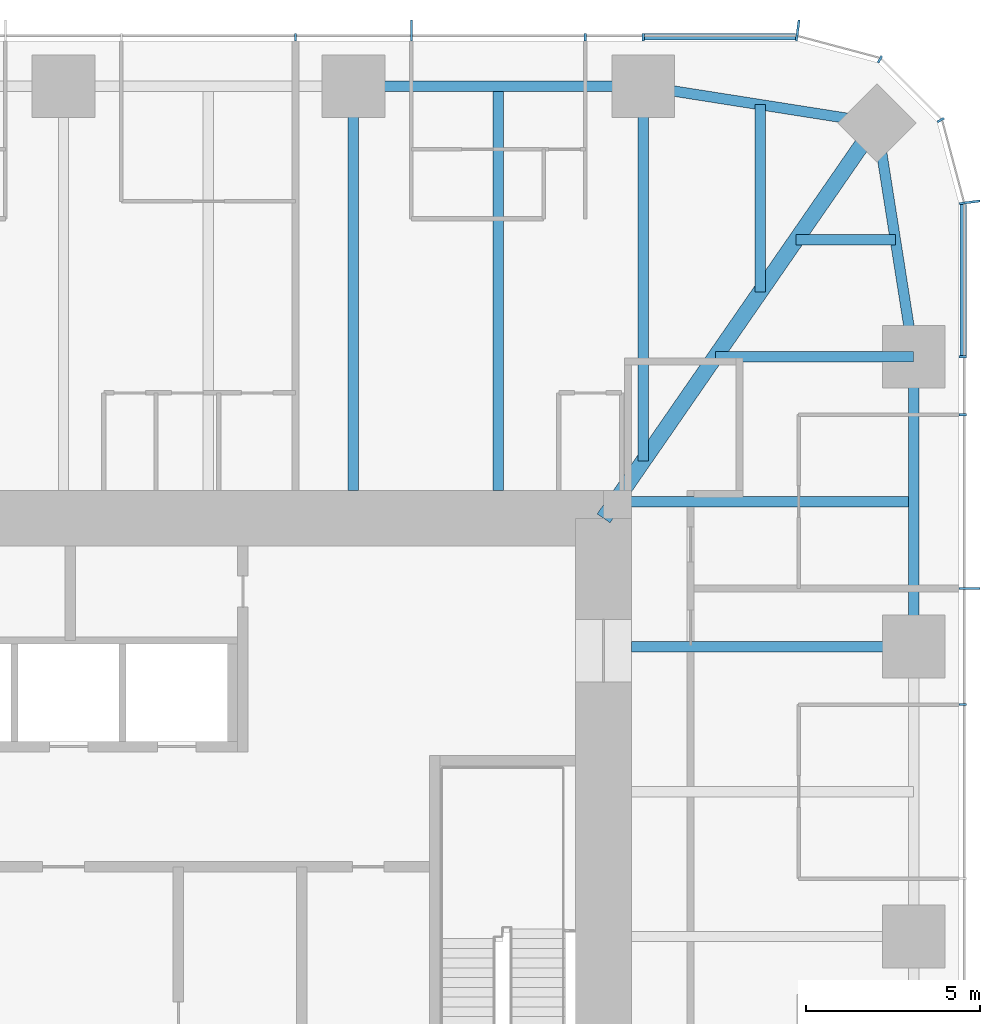
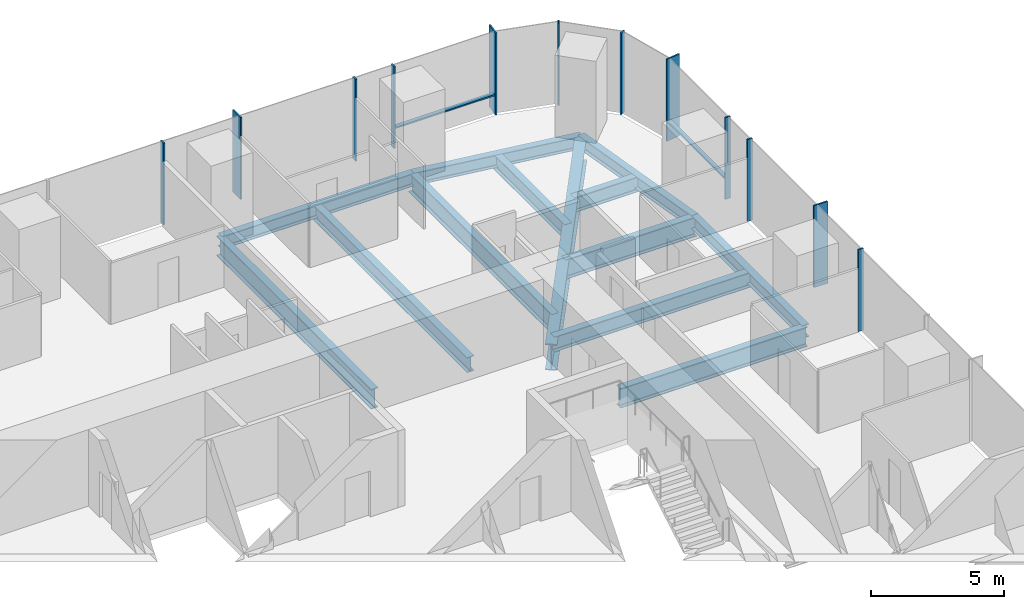
# One storey, part 6 of 13: 14 members, 13 beams, 3 elements without a shape of their own.
"""IFC4 building model written with IfcOpenShell, lengths in metres."""

from ifc_helpers import new_model, si_unit, direction, frame, origin, origin_2d, place, context, subcontext, project, spatial, rectangle, i_section, extrude, material, material_profile, profile_set, type_object, element, aggregate, save


model = new_model("IFC4")

# Units and contexts
model_context = context("Model", 3, precision=1e-05, world=origin(), true_north=direction((0.0, 1.0)))
body_context = subcontext(model_context, "Body", "Model", "MODEL_VIEW")
ifc_project = project(units=[si_unit("LENGTHUNIT", "METRE"), si_unit("AREAUNIT", "SQUARE_METRE"), si_unit("VOLUMEUNIT", "CUBIC_METRE"), si_unit("PLANEANGLEUNIT", "RADIAN"), si_unit("MASSUNIT", "GRAM", prefix="KILO")], contexts=[model_context])

# Site, building, storey
site_placement = place(None, origin())
site = spatial("IfcSite", under=ifc_project, at=site_placement, CompositionType="ELEMENT")
building_placement = place(site_placement, origin())
building = spatial("IfcBuilding", under=site, at=building_placement, Name="Khuree Lantern Residences", CompositionType="ELEMENT")
storey_placement = place(building_placement, frame((0.0, 0.0, 255.75)))
storey = spatial("IfcBuildingStorey", under=building, at=storey_placement, Name="L64", CompositionType="ELEMENT", Elevation=255.75)

# Beams
ifc_material_1 = material(Name="Steel S355", Category="steel")
ifc_material_profile_1 = material_profile(ifc_material_1, i_section(OverallWidth=0.300048828125, OverallDepth=0.68994140625, WebThickness=0.014404296875, FlangeThickness=0.027099609375, FilletRadius=0.027099609375, at=origin_2d()), Name="HE 700 A")
ifc_profile_set_1 = profile_set([ifc_material_profile_1], Name="Steel S355")
beam_type_1 = type_object("IfcBeamType", Name="B-34 SECONDARY BEAM HE 700 A", PredefinedType="BEAM", material=ifc_profile_set_1)
beam_1_placement = place(storey_placement, frame((12.47998046875, 24.39990234375, -0.594970703125), z_axis=(0.0, -1.0, 0.0), x_axis=(1.0, 0.0, 0.0)))
element("IfcBeam", 1, at=beam_1_placement, inside=storey, type_object=beam_type_1, Name="Secondary beam N4", PredefinedType="BEAM", context=body_context, shape_type="SweptSolid", body=[
    extrude(i_section(OverallWidth=0.300048828125, OverallDepth=0.68994140625, WebThickness=0.014404296875, FlangeThickness=0.027099609375, FilletRadius=0.027099609375, at=origin_2d()), origin(), (0.0, 0.0, 1.0), 11.599853515625),
])
beam_2_placement = place(storey_placement, frame((19.992919921875, 23.872802734375, -0.594970703125), z_axis=(0.0, -1.0, 0.0), x_axis=(1.0, 0.0, 0.0)))
element("IfcBeam", 2, at=beam_2_placement, inside=storey, type_object=beam_type_1, Name="Secondary beam N5", PredefinedType="BEAM", context=body_context, shape_type="SweptSolid", body=[
    extrude(i_section(OverallWidth=0.300048828125, OverallDepth=0.68994140625, WebThickness=0.014404296875, FlangeThickness=0.027099609375, FilletRadius=0.027099609375, at=origin_2d()), origin(), (0.0, 0.0, 1.0), 5.375732421875),
])
beam_3_placement = place(storey_placement, frame((23.872802734375, 19.992919921875, -0.594970703125), z_axis=(-1.0, 0.0, 0.0), x_axis=(0.0, -1.0, 0.0)))
element("IfcBeam", 3, at=beam_3_placement, inside=storey, type_object=beam_type_1, Name="Secondary beam E1", PredefinedType="BEAM", context=body_context, shape_type="SweptSolid", body=[
    extrude(i_section(OverallWidth=0.300048828125, OverallDepth=0.68994140625, WebThickness=0.014404296875, FlangeThickness=0.027099609375, FilletRadius=0.027099609375, at=origin_2d()), origin(), (0.0, 0.0, 1.0), 2.845703125),
])
beam_4_placement = place(storey_placement, frame((24.39990234375, 12.47998046875, -0.594970703125), z_axis=(-1.0, 0.0, 0.0), x_axis=(0.0, -1.0, 0.0)))
element("IfcBeam", 4, at=beam_4_placement, inside=storey, type_object=beam_type_1, Name="Secondary beam E2", PredefinedType="BEAM", context=body_context, shape_type="SweptSolid", body=[
    extrude(i_section(OverallWidth=0.300048828125, OverallDepth=0.68994140625, WebThickness=0.014404296875, FlangeThickness=0.027099609375, FilletRadius=0.027099609375, at=origin_2d()), origin(), (0.0, 0.0, 1.0), 8.56787109375),
])
ifc_material_profile_2 = material_profile(ifc_material_1, i_section(OverallWidth=0.300048828125, OverallDepth=0.590087890625, WebThickness=0.012939453125, FlangeThickness=0.02490234375, FilletRadius=0.027099609375, at=origin_2d()), Name="HE 600 A")
ifc_profile_set_2 = profile_set([ifc_material_profile_2], Name="Steel S355")
beam_type_2 = type_object("IfcBeamType", Name="E-34 SPANDREL BEAM HE 600 A", PredefinedType="SPANDREL", material=ifc_profile_set_2)
beam_5_placement = place(storey_placement, frame((8.320068359375, 24.39990234375, -0.544921875), z_axis=(1.0, 0.0, 0.0), x_axis=(0.0, 1.0, 0.0)))
element("IfcBeam", 5, at=beam_5_placement, inside=storey, type_object=beam_type_2, Name="Spandrel beam N4", PredefinedType="SPANDREL", context=body_context, shape_type="SweptSolid", body=[
    extrude(i_section(OverallWidth=0.300048828125, OverallDepth=0.590087890625, WebThickness=0.012939453125, FlangeThickness=0.02490234375, FilletRadius=0.027099609375, at=origin_2d()), origin(), (0.0, 0.0, 1.0), 8.31982421875),
])
for number, where, z_axis, x_axis, name in (
    (6, (16.639892578125, 24.39990234375, -0.544921875), (0.98786743189, -0.155299507442, 0.0), (0.155299507442, 0.98786743189, 0.0), "Spandrel beam N5"),
    (7, (23.345703125, 23.345703125, -0.544921875), (0.155299507442, -0.98786743189, 0.0), (0.98786743189, 0.155299507442, 0.0), "Spandrel beam E1"),
):
    element("IfcBeam", number, at=place(storey_placement, frame(where, z_axis=z_axis, x_axis=x_axis)), inside=storey, type_object=beam_type_2, Name=name, PredefinedType="SPANDREL", context=body_context, shape_type="SweptSolid", body=[
        extrude(i_section(OverallWidth=0.300048828125, OverallDepth=0.590087890625, WebThickness=0.012939453125, FlangeThickness=0.02490234375, FilletRadius=0.027099609375, at=origin_2d()), origin(), (0.0, 0.0, 1.0), 6.7880859375),
    ])
beam_6_placement = place(storey_placement, frame((24.39990234375, 16.639892578125, -0.544921875), z_axis=(0.0, -1.0, 0.0), x_axis=(1.0, 0.0, 0.0)))
element("IfcBeam", 8, at=beam_6_placement, inside=storey, type_object=beam_type_2, Name="Spandrel beam E2", PredefinedType="SPANDREL", context=body_context, shape_type="SweptSolid", body=[
    extrude(i_section(OverallWidth=0.300048828125, OverallDepth=0.590087890625, WebThickness=0.012939453125, FlangeThickness=0.02490234375, FilletRadius=0.027099609375, at=origin_2d()), origin(), (0.0, 0.0, 1.0), 8.31982421875),
])

# Curtain wall, member
ifc_material_2 = material(Name="Bronze anodised aluminium", Category="aluminium")
curtain_wall_type_1 = type_object("IfcCurtainWallType", Name="CW-T1 TOWER FACE CURTAIN WALL", PredefinedType="USERDEFINED", material=ifc_material_2)
curtain_wall_1_placement = place(storey_placement, origin())
curtain_wall_1 = element("IfcCurtainWall", 9, at=curtain_wall_1_placement, inside=storey, type_object=curtain_wall_type_1, Name="L64 EAST FACE CURTAIN WALL", ObjectType="Stick-built curtain wall", PredefinedType="USERDEFINED")
ifc_material_profile_3 = material_profile(ifc_material_2, rectangle(XDim=0.06494140625, YDim=0.60009765625, at=origin_2d()), Name="F1 65X600")
ifc_profile_set_3 = profile_set([ifc_material_profile_3], Name="Bronze anodised aluminium")
member_type_1 = type_object("IfcMemberType", Name="F1 BRONZE FIN MULLION TOWER 65X600", PredefinedType="MULLION", material=ifc_profile_set_3)
member_1_placement = place(storey_placement, frame((26.0, 9.98388671875, 0.0), z_axis=(0.0, 0.0, 1.0), x_axis=(0.0, 1.0, 0.0)))
member_1 = element("IfcMember", 10, at=member_1_placement, type_object=member_type_1, Name="L64 EAST FACE FIN MULLION 12", PredefinedType="MULLION", context=body_context, shape_type="SweptSolid", body=[
    extrude(rectangle(XDim=0.06494140625, YDim=0.60009765625, at=origin_2d()), origin(), (0.0, 0.0, 1.0), 3.75),
])

curtain_wall_type_2 = type_object("IfcCurtainWallType", Name="CW-T2 TOWER CORNER CURTAIN WALL", PredefinedType="USERDEFINED", material=ifc_material_2)
curtain_wall_2_placement = place(storey_placement, origin())
curtain_wall_2 = element("IfcCurtainWall", 11, at=curtain_wall_2_placement, inside=storey, type_object=curtain_wall_type_2, Name="L64 NORTH-EAST CORNER CURTAIN WALL", ObjectType="Faceted corner curtain wall", PredefinedType="USERDEFINED")
member_2_placement = place(storey_placement, frame((26.0, 21.06982421875, 0.0), z_axis=(0.0, 0.0, 1.0), x_axis=(-0.130526180298, 0.991444862943, 0.0)))
member_2 = element("IfcMember", 12, at=member_2_placement, type_object=member_type_1, Name="L64 NORTH-EAST CORNER FIN MULLION 15", PredefinedType="MULLION", context=body_context, shape_type="SweptSolid", body=[
    extrude(rectangle(XDim=0.06494140625, YDim=0.60009765625, at=origin_2d()), origin(), (0.0, 0.0, 1.0), 3.75),
])

# Curtain wall, members
curtain_wall_3_placement = place(storey_placement, origin())
curtain_wall_3 = element("IfcCurtainWall", 13, at=curtain_wall_3_placement, inside=storey, type_object=curtain_wall_type_1, Name="L64 NORTH FACE CURTAIN WALL", ObjectType="Stick-built curtain wall", PredefinedType="USERDEFINED")
member_3_placement = place(storey_placement, frame((21.06982421875, 26.0, 0.0), z_axis=(0.0, 0.0, 1.0), x_axis=(-0.991444862943, 0.130526180298, 0.0)))
member_3 = element("IfcMember", 14, at=member_3_placement, type_object=member_type_1, Name="L64 NORTH FACE FIN MULLION 18", PredefinedType="MULLION", context=body_context, shape_type="SweptSolid", body=[
    extrude(rectangle(XDim=0.06494140625, YDim=0.60009765625, at=origin_2d()), origin(), (0.0, 0.0, 1.0), 3.75),
])
member_4_placement = place(storey_placement, frame((9.98388671875, 26.0, 0.0), z_axis=(0.0, 0.0, 1.0), x_axis=(-1.0, 0.0, 0.0)))
member_4 = element("IfcMember", 15, at=member_4_placement, type_object=member_type_1, Name="L64 NORTH FACE FIN MULLION 21", PredefinedType="MULLION", context=body_context, shape_type="SweptSolid", body=[
    extrude(rectangle(XDim=0.06494140625, YDim=0.60009765625, at=origin_2d()), origin(), (0.0, 0.0, 1.0), 3.75),
])

# Beams
ifc_material_profile_4 = material_profile(ifc_material_1, i_section(OverallWidth=0.300048828125, OverallDepth=0.89990234375, WebThickness=0.0185546875, FlangeThickness=0.034912109375, FilletRadius=0.030029296875, at=origin_2d()), Name="HE 900 B")
ifc_profile_set_4 = profile_set([ifc_material_profile_4], Name="Steel S355")
beam_type_3 = type_object("IfcBeamType", Name="G-34 GIRDER HE 900 B", PredefinedType="BEAM", material=ifc_profile_set_4)
beam_7_placement = place(storey_placement, frame((8.320068359375, 24.39990234375, -0.699951171875), z_axis=(0.0, -1.0, 0.0), x_axis=(1.0, 0.0, 0.0)))
element("IfcBeam", 16, at=beam_7_placement, inside=storey, type_object=beam_type_3, Name="Girder N4", PredefinedType="BEAM", context=body_context, shape_type="SweptSolid", body=[
    extrude(i_section(OverallWidth=0.300048828125, OverallDepth=0.89990234375, WebThickness=0.0185546875, FlangeThickness=0.034912109375, FilletRadius=0.030029296875, at=origin_2d()), origin(), (0.0, 0.0, 1.0), 11.599853515625),
])
beam_8_placement = place(storey_placement, frame((16.639892578125, 24.39990234375, -0.699951171875), z_axis=(0.0, -1.0, 0.0), x_axis=(1.0, 0.0, 0.0)))
element("IfcBeam", 17, at=beam_8_placement, inside=storey, type_object=beam_type_3, Name="Girder N5", PredefinedType="BEAM", context=body_context, shape_type="SweptSolid", body=[
    extrude(i_section(OverallWidth=0.300048828125, OverallDepth=0.89990234375, WebThickness=0.0185546875, FlangeThickness=0.034912109375, FilletRadius=0.030029296875, at=origin_2d()), origin(), (0.0, 0.0, 1.0), 10.751220703125),
])
beam_9_placement = place(storey_placement, frame((24.39990234375, 16.639892578125, -0.699951171875), z_axis=(-1.0, 0.0, 0.0), x_axis=(0.0, -1.0, 0.0)))
element("IfcBeam", 18, at=beam_9_placement, inside=storey, type_object=beam_type_3, Name="Girder E1", PredefinedType="BEAM", context=body_context, shape_type="SweptSolid", body=[
    extrude(i_section(OverallWidth=0.300048828125, OverallDepth=0.89990234375, WebThickness=0.0185546875, FlangeThickness=0.034912109375, FilletRadius=0.030029296875, at=origin_2d()), origin(), (0.0, 0.0, 1.0), 5.69140625),
])
beam_10_placement = place(storey_placement, frame((24.39990234375, 8.320068359375, -0.699951171875), z_axis=(-1.0, 0.0, 0.0), x_axis=(0.0, -1.0, 0.0)))
element("IfcBeam", 19, at=beam_10_placement, inside=storey, type_object=beam_type_3, Name="Girder E2", PredefinedType="BEAM", context=body_context, shape_type="SweptSolid", body=[
    extrude(i_section(OverallWidth=0.300048828125, OverallDepth=0.89990234375, WebThickness=0.0185546875, FlangeThickness=0.034912109375, FilletRadius=0.030029296875, at=origin_2d()), origin(), (0.0, 0.0, 1.0), 8.099853515625),
])
ifc_material_profile_5 = material_profile(ifc_material_1, i_section(OverallWidth=0.449951171875, OverallDepth=1.199951171875, WebThickness=0.02490234375, FlangeThickness=0.044921875, at=origin_2d()), Name="WELDED I 1200X450X25X45")
ifc_profile_set_5 = profile_set([ifc_material_profile_5], Name="Steel S355")
beam_type_4 = type_object("IfcBeamType", Name="GD-34 CORNER GIRDER WELDED I 1200X450X25X45", PredefinedType="BEAM", material=ifc_profile_set_5)
beam_11_placement = place(storey_placement, frame((23.345703125, 23.345703125, -0.85009765625), z_axis=(-0.56876813501, -0.822497907959, 0.0), x_axis=(0.822497907959, -0.56876813501, 0.0)))
element("IfcBeam", 20, at=beam_11_placement, inside=storey, type_object=beam_type_4, Name="Corner girder NE", PredefinedType="BEAM", context=body_context, shape_type="SweptSolid", body=[
    extrude(i_section(OverallWidth=0.449951171875, OverallDepth=1.199951171875, WebThickness=0.02490234375, FlangeThickness=0.044921875, at=origin_2d()), origin(), (0.0, 0.0, 1.0), 13.794189453125),
])

# Member
ifc_material_profile_6 = material_profile(ifc_material_2, rectangle(XDim=0.06494140625, YDim=0.219970703125, at=origin_2d()), Name="M1 65X220")
ifc_profile_set_6 = profile_set([ifc_material_profile_6], Name="Bronze anodised aluminium")
member_type_2 = type_object("IfcMemberType", Name="M1 BRONZE MULLION TOWER 65X220", PredefinedType="MULLION", material=ifc_profile_set_6)
member_5_placement = place(storey_placement, frame((25.81005859375, 6.656005859375, 0.0), z_axis=(0.0, 0.0, 1.0), x_axis=(0.0, 1.0, 0.0)))
member_5 = element("IfcMember", 21, at=member_5_placement, type_object=member_type_2, Name="L64 EAST FACE MULLION 11", PredefinedType="MULLION", context=body_context, shape_type="SweptSolid", body=[
    extrude(rectangle(XDim=0.06494140625, YDim=0.219970703125, at=origin_2d()), origin(), (0.0, 0.0, 1.0), 3.75),
])

member_6_placement = place(storey_placement, frame((25.81005859375, 14.97607421875, 0.0), z_axis=(0.0, 0.0, 1.0), x_axis=(0.0, 1.0, 0.0)))
member_6 = element("IfcMember", 22, at=member_6_placement, type_object=member_type_2, Name="L64 EAST FACE MULLION 13", PredefinedType="MULLION", context=body_context, shape_type="SweptSolid", body=[
    extrude(rectangle(XDim=0.06494140625, YDim=0.219970703125, at=origin_2d()), origin(), (0.0, 0.0, 1.0), 3.75),
])

member_7_placement = place(storey_placement, frame((25.81005859375, 16.639892578125, 0.0), z_axis=(0.0, 0.0, 1.0), x_axis=(0.0, 1.0, 0.0)))
member_7 = element("IfcMember", 23, at=member_7_placement, type_object=member_type_2, Name="L64 EAST FACE MULLION 14", PredefinedType="MULLION", context=body_context, shape_type="SweptSolid", body=[
    extrude(rectangle(XDim=0.06494140625, YDim=0.219970703125, at=origin_2d()), origin(), (0.0, 0.0, 1.0), 3.75),
])

member_8_placement = place(storey_placement, frame((25.17236328125, 23.429931640625, 0.0), z_axis=(0.0, 0.0, 1.0), x_axis=(-0.499999989586, 0.866025409797, 0.0)))
member_8 = element("IfcMember", 24, at=member_8_placement, type_object=member_type_2, Name="L64 NORTH-EAST CORNER MULLION 16", PredefinedType="MULLION", context=body_context, shape_type="SweptSolid", body=[
    extrude(rectangle(XDim=0.06494140625, YDim=0.219970703125, at=origin_2d()), origin(), (0.0, 0.0, 1.0), 3.75),
])

member_9_placement = place(storey_placement, frame((23.429931640625, 25.17236328125, 0.0), z_axis=(0.0, 0.0, 1.0), x_axis=(-0.866025409797, 0.499999989586, 0.0)))
member_9 = element("IfcMember", 25, at=member_9_placement, type_object=member_type_2, Name="L64 NORTH-EAST CORNER MULLION 17", PredefinedType="MULLION", context=body_context, shape_type="SweptSolid", body=[
    extrude(rectangle(XDim=0.06494140625, YDim=0.219970703125, at=origin_2d()), origin(), (0.0, 0.0, 1.0), 3.75),
])

aggregate(curtain_wall_2, [member_2, member_8, member_9])

member_10_placement = place(storey_placement, frame((16.639892578125, 25.81005859375, 0.0), z_axis=(0.0, 0.0, 1.0), x_axis=(-1.0, 0.0, 0.0)))
member_10 = element("IfcMember", 26, at=member_10_placement, type_object=member_type_2, Name="L64 NORTH FACE MULLION 19", PredefinedType="MULLION", context=body_context, shape_type="SweptSolid", body=[
    extrude(rectangle(XDim=0.06494140625, YDim=0.219970703125, at=origin_2d()), origin(), (0.0, 0.0, 1.0), 3.75),
])

member_11_placement = place(storey_placement, frame((14.97607421875, 25.81005859375, 0.0), z_axis=(0.0, 0.0, 1.0), x_axis=(-1.0, 0.0, 0.0)))
member_11 = element("IfcMember", 27, at=member_11_placement, type_object=member_type_2, Name="L64 NORTH FACE MULLION 20", PredefinedType="MULLION", context=body_context, shape_type="SweptSolid", body=[
    extrude(rectangle(XDim=0.06494140625, YDim=0.219970703125, at=origin_2d()), origin(), (0.0, 0.0, 1.0), 3.75),
])

member_12_placement = place(storey_placement, frame((6.656005859375, 25.81005859375, 0.0), z_axis=(0.0, 0.0, 1.0), x_axis=(-1.0, 0.0, 0.0)))
member_12 = element("IfcMember", 28, at=member_12_placement, type_object=member_type_2, Name="L64 NORTH FACE MULLION 22", PredefinedType="MULLION", context=body_context, shape_type="SweptSolid", body=[
    extrude(rectangle(XDim=0.06494140625, YDim=0.219970703125, at=origin_2d()), origin(), (0.0, 0.0, 1.0), 3.75),
])

ifc_material_profile_7 = material_profile(ifc_material_2, rectangle(XDim=0.179931640625, YDim=0.06494140625, at=origin_2d()), Name="T1 180X65")
ifc_profile_set_7 = profile_set([ifc_material_profile_7], Name="Bronze anodised aluminium")
member_type_3 = type_object("IfcMemberType", Name="TRANSOM T1 TOWER 180X65", PredefinedType="USERDEFINED", material=ifc_profile_set_7)
member_13_placement = place(storey_placement, frame((25.820068359375, 16.672607421875, 0.89990234375), z_axis=(0.0, 1.0, 0.0), x_axis=(-1.0, 0.0, 0.0)))
member_13 = element("IfcMember", 29, at=member_13_placement, type_object=member_type_3, Name="L64 EAST FACE TRANSOM 14.1", ObjectType="Transom", PredefinedType="USERDEFINED", context=body_context, shape_type="SweptSolid", body=[
    extrude(rectangle(XDim=0.179931640625, YDim=0.06494140625, at=origin_2d()), origin(), (0.0, 0.0, 1.0), 4.328857421875),
])

aggregate(curtain_wall_1, [member_5, member_1, member_6, member_7, member_13])

member_14_placement = place(storey_placement, frame((21.00146484375, 25.820068359375, 0.89990234375), z_axis=(-1.0, 0.0, 0.0), x_axis=(0.0, -1.0, 0.0)))
member_14 = element("IfcMember", 30, at=member_14_placement, type_object=member_type_3, Name="L64 NORTH FACE TRANSOM 18.1", ObjectType="Transom", PredefinedType="USERDEFINED", context=body_context, shape_type="SweptSolid", body=[
    extrude(rectangle(XDim=0.179931640625, YDim=0.06494140625, at=origin_2d()), origin(), (0.0, 0.0, 1.0), 4.328857421875),
])

aggregate(curtain_wall_3, [member_3, member_10, member_11, member_4, member_12, member_14])

save(model, "model.ifc")
